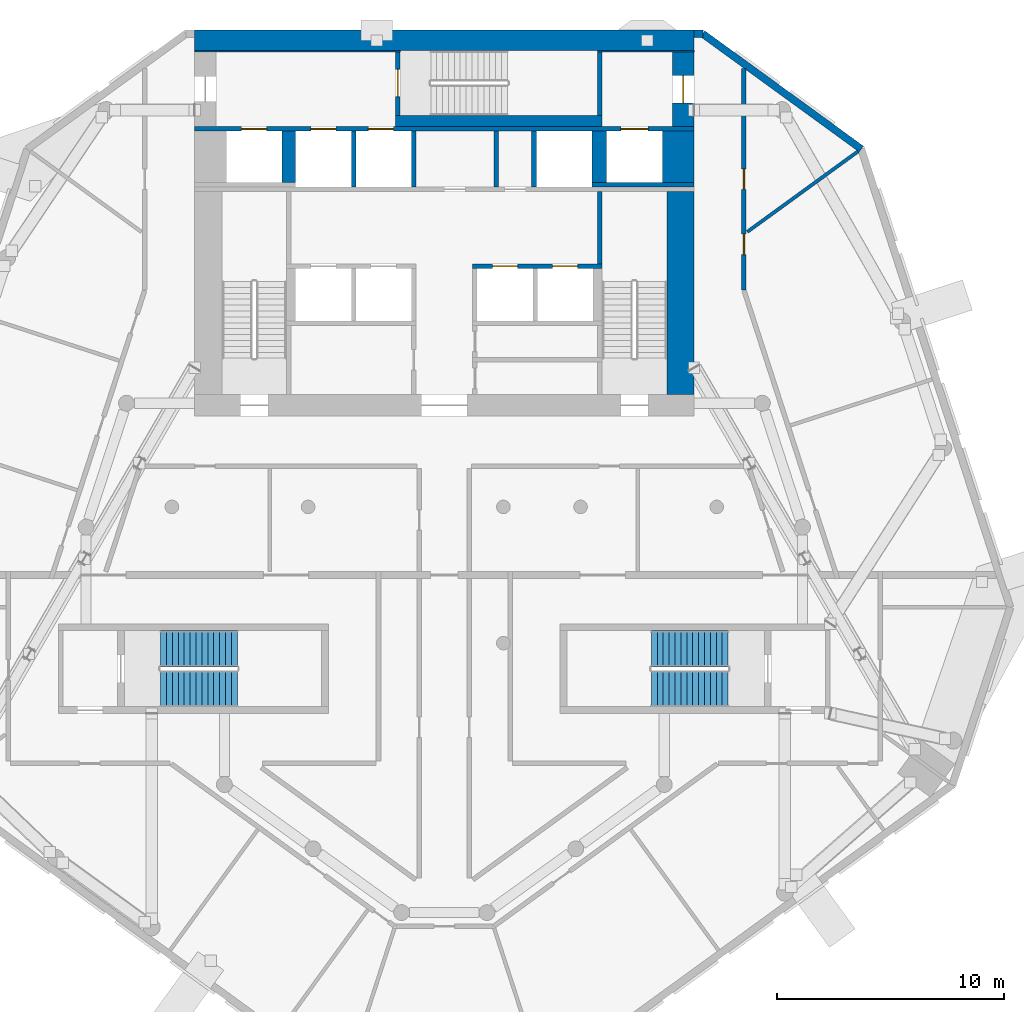
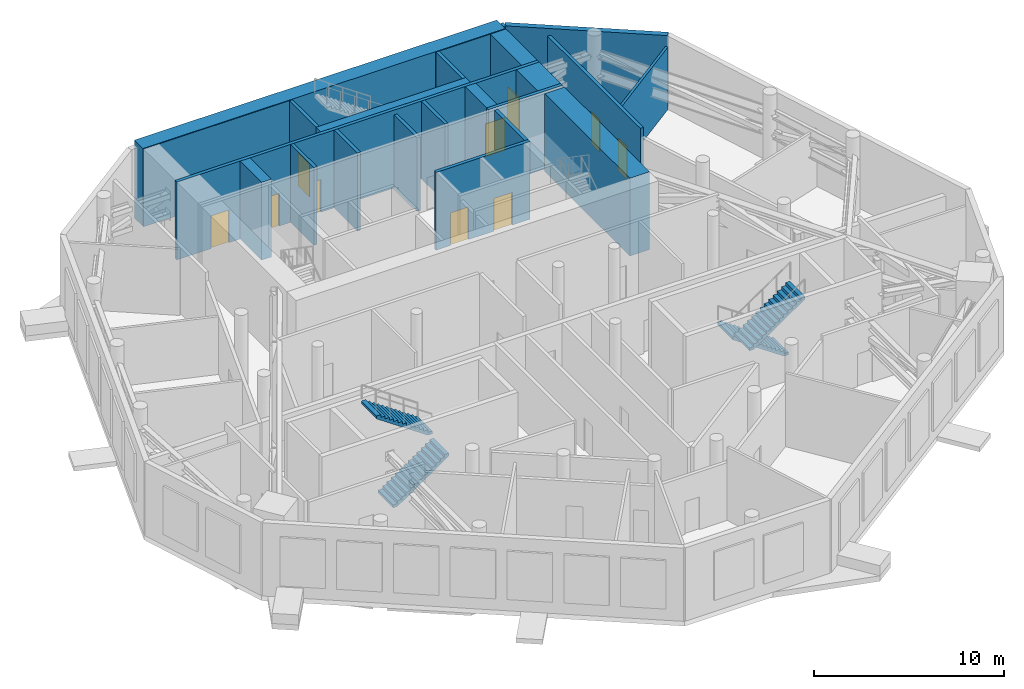
# One storey, part 11 of 17: 23 walls, 10 doors, 4 stair flights, 10 openings, 2 elements without a shape of their own.
"""IFC4 building model written with IfcOpenShell, lengths in metres."""

import ifcopenshell
import ifcopenshell.guid

model = None  # the IFC model being written
_history = None  # IfcOwnerHistory: only IFC2X3 demands one
_inside = {}  # id of a spatial element -> (the spatial element, [elements in it])
_under = {}  # id of a project, library or spatial element -> (it, [spatial elements below it])
_declared = {}  # id of a project -> (the project, [libraries it declares])
_typed = {}  # id of a type object -> (the type object, [elements of that type])
_made_of = {}  # id of a material, layer set ... -> (it, [elements and type objects made of it])


def new_model(schema):
    """Start an empty IFC model of exactly this schema.

    Asked for "IFC4X3", IfcOpenShell would pick the latest addendum, in which some entities
    have other attributes; the version numbers below select the first issue.
    IFC2X3 requires an IfcOwnerHistory on every rooted entity: one is made here for all.
    """
    global model, _history
    if schema == "IFC4X3":
        model = ifcopenshell.file(schema_version=(4, 3, 0, 0))
    else:
        model = ifcopenshell.file(schema=schema)
    _inside.clear()
    _under.clear()
    _declared.clear()
    _typed.clear()
    _made_of.clear()
    _history = None
    if model.schema == "IFC2X3":
        org = make("IfcOrganization", Name="unknown")
        user = make(
            "IfcPersonAndOrganization",
            ThePerson=make("IfcPerson", FamilyName="unknown"),
            TheOrganization=org,
        )
        app = make(
            "IfcApplication",
            ApplicationDeveloper=org,
            Version="unknown",
            ApplicationFullName="unknown",
            ApplicationIdentifier="unknown",
        )
        _history = make(
            "IfcOwnerHistory",
            OwningUser=user,
            OwningApplication=app,
            ChangeAction="ADDED",
            CreationDate=0,
        )
    return model


def make(cls, **values):
    """One entity of the class cls with the attributes given. An attribute that is None is left unset."""
    return model.create_entity(
        cls, **{name: value for name, value in values.items() if value is not None}
    )


def rooted(cls, **values):
    """An entity with a GlobalId (a new one), such as an element, a storey or a relation."""
    return make(cls, GlobalId=ifcopenshell.guid.new(), OwnerHistory=_history, **values)


def si_unit(unit_type, name, prefix=None):
    """IfcSIUnit, for example si_unit("LENGTHUNIT", "METRE", prefix="MILLI")."""
    return make("IfcSIUnit", UnitType=unit_type, Prefix=prefix, Name=name)


def assignment(units):
    """IfcUnitAssignment: the units of a project."""
    return None if units is None else make("IfcUnitAssignment", Units=units)


def point(xyz):
    """IfcCartesianPoint."""
    return None if xyz is None else make("IfcCartesianPoint", Coordinates=xyz)


def direction(xyz):
    """IfcDirection."""
    return None if xyz is None else make("IfcDirection", DirectionRatios=xyz)


def frame(location, z_axis=None, x_axis=None):
    """IfcAxis2Placement3D, a coordinate frame: its origin and axes. An axis left out is left unset."""
    return make(
        "IfcAxis2Placement3D",
        Location=point(location),
        Axis=direction(z_axis),
        RefDirection=direction(x_axis),
    )


def frame_2d(location, x_axis=None):
    """IfcAxis2Placement2D, a coordinate frame in the plane: its origin and x axis."""
    return make(
        "IfcAxis2Placement2D", Location=point(location), RefDirection=direction(x_axis)
    )


def origin():
    """The frame at (0, 0, 0) with its axes left unset."""
    return frame((0.0, 0.0, 0.0))


def place(relative_to, where):
    """IfcLocalPlacement: puts the frame where relative to a parent placement (None: the world)."""
    return make(
        "IfcLocalPlacement", PlacementRelTo=relative_to, RelativePlacement=where
    )


def context(
    kind, dimensions, precision=None, world=None, true_north=None, identifier=None
):
    """IfcGeometricRepresentationContext, for example the 3D "Model" context."""
    return make(
        "IfcGeometricRepresentationContext",
        ContextIdentifier=identifier,
        ContextType=kind,
        CoordinateSpaceDimension=dimensions,
        Precision=precision,
        WorldCoordinateSystem=world,
        TrueNorth=true_north,
    )


def subcontext(parent, identifier, kind, view, scale=None):
    """IfcGeometricRepresentationSubContext, for example "Body" below "Model"."""
    return make(
        "IfcGeometricRepresentationSubContext",
        ContextIdentifier=identifier,
        ContextType=kind,
        ParentContext=parent,
        TargetScale=scale,
        TargetView=view,
    )


def project(units=None, contexts=None):
    """IfcProject with its units and contexts."""
    return rooted(
        "IfcProject",
        Name="project",
        RepresentationContexts=contexts,
        UnitsInContext=assignment(units),
    )


def spatial(cls, under=None, at=None, **own):
    """A site, building, storey or space (cls), placed at a placement, below another one or the project."""
    s = rooted(cls, ObjectPlacement=at, **own)
    if under is not None:
        _under.setdefault(under.id(), (under, []))[1].append(s)
    return s


def polyline(points):
    """IfcPolyline through the points."""
    return make("IfcPolyline", Points=[point(p) for p in points])


def profile(cls, at=None, kind="AREA", **sizes):
    """A parametric profile (cls). Its sizes go by their IFC names, for example OverallWidth=200.0."""
    return make(cls, ProfileType=kind, Position=at, **sizes)


def rectangle(**sizes):
    """IfcRectangleProfileDef."""
    return profile("IfcRectangleProfileDef", **sizes)


def outline(outer, holes=None, kind="AREA"):
    """IfcArbitraryClosedProfileDef: a profile drawn as a closed curve; with holes, ...WithVoids."""
    if holes is None:
        return make("IfcArbitraryClosedProfileDef", ProfileType=kind, OuterCurve=outer)
    return make(
        "IfcArbitraryProfileDefWithVoids",
        ProfileType=kind,
        OuterCurve=outer,
        InnerCurves=holes,
    )


def extrude(swept, where, along, depth):
    """IfcExtrudedAreaSolid: the profile swept, set in the frame where, extruded along a direction by depth."""
    return make(
        "IfcExtrudedAreaSolid",
        SweptArea=swept,
        Position=where,
        ExtrudedDirection=direction(along),
        Depth=depth,
    )


def shape(context_of_items, identifier, shape_type, items):
    """IfcShapeRepresentation: the items that make up one representation, for example the "Body"."""
    return make(
        "IfcShapeRepresentation",
        ContextOfItems=context_of_items,
        RepresentationIdentifier=identifier,
        RepresentationType=shape_type,
        Items=items,
    )


def material(Name=None, Category=None):
    """IfcMaterial."""
    return make("IfcMaterial", Name=Name, Category=Category)


def layer(
    of_material, thickness, ventilated=None, Name=None, Category=None, Priority=None
):
    """IfcMaterialLayer: one layer of a wall or slab, of a material (None: an air gap)."""
    return make(
        "IfcMaterialLayer",
        Material=of_material,
        LayerThickness=thickness,
        IsVentilated=ventilated,
        Name=Name,
        Category=Category,
        Priority=Priority,
    )


def layer_set(layers, Name=None):
    """IfcMaterialLayerSet."""
    return make("IfcMaterialLayerSet", MaterialLayers=layers, LayerSetName=Name)


def made_of(thing, what):
    """Note that an element or type object is made of a material, layer set ...; save() writes the relation."""
    if what is not None:
        _made_of.setdefault(what.id(), (what, []))[1].append(thing)
    return thing


def type_object(cls, material=None, **own):
    """A type object (cls), such as IfcWallType, which elements share."""
    return made_of(rooted(cls, **own), material)


def element(
    cls,
    number,
    at=None,
    inside=None,
    cuts=None,
    type_object=None,
    material=None,
    context=None,
    identifier="Body",
    shape_type=None,
    held_by="IfcProductDefinitionShape",
    body=None,
    shapes=None,
    **own,
):
    """One element of the class cls, such as IfcWall. Its Tag is "e" and its number.

    at: its placement. inside: the storey or other place that contains it. cuts: it is an
    opening in that element (IfcRelVoidsElement). A single representation is given by context,
    identifier, shape_type and body (its items); several are given by shapes. held_by: the class
    of the entity that holds the representations. save() writes the other relations.
    """
    e = rooted(cls, Tag="e%d" % number, ObjectPlacement=at, **own)
    if body is not None:
        shapes = [shape(context, identifier, shape_type, body)]
    if shapes is not None:
        e.Representation = make(held_by, Representations=shapes)
    if inside is not None:
        _inside.setdefault(inside.id(), (inside, []))[1].append(e)
    if cuts is not None:
        rooted(
            "IfcRelVoidsElement", RelatingBuildingElement=cuts, RelatedOpeningElement=e
        )
    if type_object is not None:
        _typed.setdefault(type_object.id(), (type_object, []))[1].append(e)
    return made_of(e, material)


def fill(opening, filler):
    """IfcRelFillsElement: the door or window that sits in an opening."""
    return rooted(
        "IfcRelFillsElement",
        RelatingOpeningElement=opening,
        RelatedBuildingElement=filler,
    )


def aggregate(whole, parts):
    """IfcRelAggregates: a whole, such as a stair, and the parts it consists of."""
    return rooted("IfcRelAggregates", RelatingObject=whole, RelatedObjects=parts)


def save(model, path):
    """Write the relations noted so far, then the file.

    IfcRelAggregates (storeys below a building ...), IfcRelContainedInSpatialStructure (elements
    in a storey), IfcRelDefinesByType, IfcRelAssociatesMaterial and IfcRelDeclares: one each for
    every whole, place, type object, material and project.
    """
    for whole, parts in _under.values():
        aggregate(whole, parts)
    for where, things in _inside.values():
        rooted(
            "IfcRelContainedInSpatialStructure",
            RelatedElements=things,
            RelatingStructure=where,
        )
    for kind, things in _typed.values():
        rooted("IfcRelDefinesByType", RelatedObjects=things, RelatingType=kind)
    for what, things in _made_of.values():
        rooted("IfcRelAssociatesMaterial", RelatedObjects=things, RelatingMaterial=what)
    for by, libraries in _declared.values():
        rooted("IfcRelDeclares", RelatingContext=by, RelatedDefinitions=libraries)
    model.write(path)


model = new_model("IFC4")

# Units and contexts
model_context = context("Model", 3, precision=1e-05, world=origin(), true_north=direction((0.0, 1.0)))
body_context = subcontext(model_context, "Body", "Model", "MODEL_VIEW")
ifc_project = project(units=[si_unit("LENGTHUNIT", "METRE"), si_unit("AREAUNIT", "SQUARE_METRE"), si_unit("VOLUMEUNIT", "CUBIC_METRE"), si_unit("PLANEANGLEUNIT", "RADIAN"), si_unit("MASSUNIT", "GRAM", prefix="KILO")], contexts=[model_context])

# Site, building, storey
site_placement = place(None, origin())
site = spatial("IfcSite", under=ifc_project, at=site_placement, CompositionType="ELEMENT")
building_placement = place(site_placement, origin())
building = spatial("IfcBuilding", under=site, at=building_placement, Name="White Candle Pilgrim Tower", CompositionType="ELEMENT")
storey_placement = place(building_placement, frame((0.0, 0.0, 191.5)))
storey = spatial("IfcBuildingStorey", under=building, at=storey_placement, Name="L44", CompositionType="ELEMENT", Elevation=191.5)

# Walls
ifc_material_1 = material(Name="Concrete C60/75", Category="concrete")
ifc_layer_1 = layer(ifc_material_1, 1.39990234375)
ifc_layer_set_1 = layer_set([ifc_layer_1], Name="Core wall 1400 mm Concrete C60/75")
wall_type_1 = type_object("IfcWallType", Name="Core wall 1400 mm Concrete C60/75", PredefinedType="SHEAR", material=ifc_layer_set_1)
wall_1_placement = place(storey_placement, frame((80.300048828125, 81.300048828125, 0.0), z_axis=(0.0, 0.0, 1.0), x_axis=(0.0, 1.0, 0.0)))
element("IfcWall", 1, at=wall_1_placement, inside=storey, type_object=wall_type_1, Name="WL-L44-C43", PredefinedType="SHEAR", context=body_context, shape_type="SweptSolid", body=[
    extrude(rectangle(XDim=2.25, YDim=1.39990234375, at=frame_2d((1.125, 0.0))), origin(), (0.0, 0.0, 1.0), 5.0),
])
ifc_layer_2 = layer(ifc_material_1, 0.199951171875)
ifc_layer_set_2 = layer_set([ifc_layer_2], Name="Core wall 200 mm Concrete C60/75")
wall_type_2 = type_object("IfcWallType", Name="Core wall 200 mm Concrete C60/75", PredefinedType="SHEAR", material=ifc_layer_set_2)
wall_2_placement = place(storey_placement, frame((76.5, 81.199951171875, 0.0), z_axis=(0.0, 0.0, 1.0), x_axis=(1.0, 0.0, 0.0)))
element("IfcWall", 2, at=wall_2_placement, inside=storey, type_object=wall_type_2, Name="WL-L44-C39", PredefinedType="SHEAR", context=body_context, shape_type="SweptSolid", body=[
    extrude(rectangle(XDim=4.5, YDim=0.199951171875, at=frame_2d((2.25, 0.0))), origin(), (0.0, 0.0, 1.0), 5.0),
])

# Wall, openings, doors
wall_3_placement = place(storey_placement, frame((59.0, 83.64990234375, 0.0), z_axis=(0.0, 0.0, 1.0), x_axis=(1.0, 0.0, 0.0)))
wall_3 = element("IfcWall", 3, at=wall_3_placement, inside=storey, type_object=wall_type_2, Name="WL-L44-C44", PredefinedType="SHEAR", context=body_context, shape_type="SweptSolid", body=[
    extrude(rectangle(XDim=22.0, YDim=0.199951171875, at=frame_2d((11.0, 0.0))), origin(), (0.0, 0.0, 1.0), 5.0),
])
opening_1_placement = place(wall_3_placement, frame((5.125, 0.0, 0.0)))
opening_1 = element("IfcOpeningElement", 4, at=opening_1_placement, cuts=wall_3, Name="Opening L44-018", PredefinedType="OPENING", context=body_context, shape_type="SweptSolid", body=[
    extrude(rectangle(XDim=1.10009765625, YDim=2.10009765625, at=frame_2d((0.550048828125, 1.050048828125))), frame((0.0, 0.10986328125, 0.0), z_axis=(0.0, -1.0, 0.0), x_axis=(1.0, 0.0, 0.0)), (0.0, 0.0, 1.0), 0.219970703125),
])
opening_2_placement = place(wall_3_placement, frame((7.64990234375, 0.0, 0.0)))
opening_2 = element("IfcOpeningElement", 5, at=opening_2_placement, cuts=wall_3, Name="Opening L44-019", PredefinedType="OPENING", context=body_context, shape_type="SweptSolid", body=[
    extrude(rectangle(XDim=1.10009765625, YDim=2.10009765625, at=frame_2d((0.550048828125, 1.050048828125))), frame((0.0, 0.10986328125, 0.0), z_axis=(0.0, -1.0, 0.0), x_axis=(1.0, 0.0, 0.0)), (0.0, 0.0, 1.0), 0.219970703125),
])
opening_3_placement = place(wall_3_placement, frame((18.77490234375, 0.0, 0.0)))
opening_3 = element("IfcOpeningElement", 6, at=opening_3_placement, cuts=wall_3, Name="Opening L44-020", PredefinedType="OPENING", context=body_context, shape_type="SweptSolid", body=[
    extrude(rectangle(XDim=1.199951171875, YDim=2.10009765625, at=frame_2d((0.60009765625, 1.050048828125))), frame((0.0, 0.10986328125, 0.0), z_axis=(0.0, -1.0, 0.0), x_axis=(1.0, 0.0, 0.0)), (0.0, 0.0, 1.0), 0.219970703125),
])
opening_4_placement = place(wall_3_placement, frame((2.074951171875, 0.0, 0.0)))
opening_4 = element("IfcOpeningElement", 7, at=opening_4_placement, cuts=wall_3, Name="Opening L44-021", PredefinedType="OPENING", context=body_context, shape_type="SweptSolid", body=[
    extrude(rectangle(XDim=1.10009765625, YDim=2.10009765625, at=frame_2d((0.550048828125, 1.050048828125))), frame((0.0, 0.10986328125, 0.0), z_axis=(0.0, -1.0, 0.0), x_axis=(1.0, 0.0, 0.0)), (0.0, 0.0, 1.0), 0.219970703125),
])
ifc_material_2 = material(Name="Stainless steel", Category="steel")
door_type_1 = type_object("IfcDoorType", Name="Lift landing door 1100 x 2100 EI 60", OperationType="DOUBLE_DOOR_SLIDING", PredefinedType="DOOR", material=ifc_material_2)
door_1_placement = place(opening_1_placement, origin())
door_1 = element("IfcDoor", 8, at=door_1_placement, inside=storey, type_object=door_type_1, Name="Door L44-018", OperationType="DOUBLE_DOOR_SLIDING", OverallHeight=2.10009765625, OverallWidth=1.10009765625, PredefinedType="DOOR", context=body_context, shape_type="SweptSolid", body=[
    extrude(rectangle(XDim=1.10009765625, YDim=2.10009765625, at=frame_2d((0.550048828125, 1.050048828125))), frame((0.0, 0.02490234375, 0.0), z_axis=(0.0, -1.0, 0.0), x_axis=(1.0, 0.0, 0.0)), (0.0, 0.0, 1.0), 0.050048828125),
])
fill(opening_1, door_1)
door_2_placement = place(opening_2_placement, origin())
door_2 = element("IfcDoor", 9, at=door_2_placement, inside=storey, type_object=door_type_1, Name="Door L44-019", OperationType="DOUBLE_DOOR_SLIDING", OverallHeight=2.10009765625, OverallWidth=1.10009765625, PredefinedType="DOOR", context=body_context, shape_type="SweptSolid", body=[
    extrude(rectangle(XDim=1.10009765625, YDim=2.10009765625, at=frame_2d((0.550048828125, 1.050048828125))), frame((0.0, 0.02490234375, 0.0), z_axis=(0.0, -1.0, 0.0), x_axis=(1.0, 0.0, 0.0)), (0.0, 0.0, 1.0), 0.050048828125),
])
fill(opening_2, door_2)
door_3_placement = place(opening_4_placement, origin())
door_3 = element("IfcDoor", 10, at=door_3_placement, inside=storey, type_object=door_type_1, Name="Door L44-021", OperationType="DOUBLE_DOOR_SLIDING", OverallHeight=2.10009765625, OverallWidth=1.10009765625, PredefinedType="DOOR", context=body_context, shape_type="SweptSolid", body=[
    extrude(rectangle(XDim=1.10009765625, YDim=2.10009765625, at=frame_2d((0.550048828125, 1.050048828125))), frame((0.0, 0.02490234375, 0.0), z_axis=(0.0, -1.0, 0.0), x_axis=(1.0, 0.0, 0.0)), (0.0, 0.0, 1.0), 0.050048828125),
])
fill(opening_4, door_3)
door_type_2 = type_object("IfcDoorType", Name="Lift landing door 1200 x 2100 E 60", OperationType="DOUBLE_DOOR_SLIDING", PredefinedType="DOOR", material=ifc_material_2)
door_4_placement = place(opening_3_placement, origin())
door_4 = element("IfcDoor", 11, at=door_4_placement, inside=storey, type_object=door_type_2, Name="Door L44-020", OperationType="DOUBLE_DOOR_SLIDING", OverallHeight=2.10009765625, OverallWidth=1.199951171875, PredefinedType="DOOR", context=body_context, shape_type="SweptSolid", body=[
    extrude(rectangle(XDim=1.199951171875, YDim=2.10009765625, at=frame_2d((0.60009765625, 1.050048828125))), frame((0.0, 0.02490234375, 0.0), z_axis=(0.0, -1.0, 0.0), x_axis=(1.0, 0.0, 0.0)), (0.0, 0.0, 1.0), 0.050048828125),
])
fill(opening_3, door_4)

# Wall, opening, door
ifc_layer_3 = layer(ifc_material_1, 0.949951171875)
ifc_layer_set_3 = layer_set([ifc_layer_3], Name="Core wall 950 mm Concrete C60/75")
wall_type_3 = type_object("IfcWallType", Name="Core wall 950 mm Concrete C60/75", PredefinedType="SHEAR", material=ifc_layer_set_3)
wall_4_placement = place(storey_placement, frame((80.52490234375, 83.75, 0.0), z_axis=(0.0, 0.0, 1.0), x_axis=(0.0, 1.0, 0.0)))
wall_4 = element("IfcWall", 12, at=wall_4_placement, inside=storey, type_object=wall_type_3, Name="WL-L44-C47", PredefinedType="SHEAR", context=body_context, shape_type="SweptSolid", body=[
    extrude(rectangle(XDim=3.300048828125, YDim=0.949951171875, at=frame_2d((1.64990234375, 0.0))), origin(), (0.0, 0.0, 1.0), 5.0),
])
opening_5_placement = place(wall_4_placement, frame((1.050048828125, 0.0, 0.0)))
opening_5 = element("IfcOpeningElement", 13, at=opening_5_placement, cuts=wall_4, Name="Opening L44-009", PredefinedType="OPENING", context=body_context, shape_type="SweptSolid", body=[
    extrude(rectangle(XDim=1.199951171875, YDim=2.10009765625, at=frame_2d((0.60009765625, 1.050048828125))), frame((0.0, 0.48486328125, 0.0), z_axis=(0.0, -1.0, 0.0), x_axis=(1.0, 0.0, 0.0)), (0.0, 0.0, 1.0), 0.969970703125),
])
ifc_material_3 = material(Name="Steel door leaf", Category="steel")
door_type_3 = type_object("IfcDoorType", Name="Fire door 1200 x 2100 EI 30", OperationType="NOTDEFINED", PredefinedType="DOOR", material=ifc_material_3)
door_5_placement = place(opening_5_placement, origin())
door_5 = element("IfcDoor", 14, at=door_5_placement, inside=storey, type_object=door_type_3, Name="Door L44-009", OperationType="SINGLE_SWING_LEFT", OverallHeight=2.10009765625, OverallWidth=1.199951171875, PredefinedType="DOOR", context=body_context, shape_type="SweptSolid", body=[
    extrude(rectangle(XDim=1.199951171875, YDim=2.10009765625, at=frame_2d((0.60009765625, 1.050048828125))), frame((0.0, 0.02490234375, 0.0), z_axis=(0.0, -1.0, 0.0), x_axis=(1.0, 0.0, 0.0)), (0.0, 0.0, 1.0), 0.050048828125),
])
fill(opening_5, door_5)

# Wall, openings, doors
ifc_material_4 = material(Name="Gypsum board on steel studs", Category="steel")
ifc_layer_4 = layer(ifc_material_4, 0.199951171875)
ifc_layer_set_4 = layer_set([ifc_layer_4], Name="Corridor wall 200 mm EI 45")
wall_type_4 = type_object("IfcWallType", Name="Corridor wall 200 mm EI 45", PredefinedType="PARTITIONING", material=ifc_layer_set_4)
wall_5_placement = place(storey_placement, frame((83.199951171875, 86.323486328125, 0.0), z_axis=(0.0, 0.0, 1.0), x_axis=(0.0, -1.0, 0.0)))
wall_5 = element("IfcWall", 15, at=wall_5_placement, inside=storey, type_object=wall_type_4, Name="WL-L44-P004", PredefinedType="PARTITIONING", context=body_context, shape_type="SweptSolid", body=[
    extrude(rectangle(XDim=9.7705078125, YDim=0.199951171875, at=frame_2d((4.88525390625, 0.0))), origin(), (0.0, 0.0, 1.0), 4.25),
])
opening_6_placement = place(wall_5_placement, frame((4.435302734375, 0.0, 0.0)))
opening_6 = element("IfcOpeningElement", 16, at=opening_6_placement, cuts=wall_5, Name="Opening L44-121", PredefinedType="OPENING", context=body_context, shape_type="SweptSolid", body=[
    extrude(rectangle(XDim=0.89990234375, YDim=2.10009765625, at=frame_2d((0.449951171875, 1.050048828125))), frame((0.0, 0.10986328125, 0.0), z_axis=(0.0, -1.0, 0.0), x_axis=(1.0, 0.0, 0.0)), (0.0, 0.0, 1.0), 0.219970703125),
])
opening_7_placement = place(wall_5_placement, frame((7.30419921875, 0.0, 0.0)))
opening_7 = element("IfcOpeningElement", 17, at=opening_7_placement, cuts=wall_5, Name="Opening L44-122", PredefinedType="OPENING", context=body_context, shape_type="SweptSolid", body=[
    extrude(rectangle(XDim=0.89990234375, YDim=2.10009765625, at=frame_2d((0.449951171875, 1.050048828125))), frame((0.0, 0.10986328125, 0.0), z_axis=(0.0, -1.0, 0.0), x_axis=(1.0, 0.0, 0.0)), (0.0, 0.0, 1.0), 0.219970703125),
])
door_type_4 = type_object("IfcDoorType", Name="Fire door 900 x 2100 EI 30", OperationType="NOTDEFINED", PredefinedType="DOOR", material=ifc_material_3)
door_6_placement = place(opening_6_placement, origin())
door_6 = element("IfcDoor", 18, at=door_6_placement, inside=storey, type_object=door_type_4, Name="Door L44-121", OperationType="SINGLE_SWING_LEFT", OverallHeight=2.10009765625, OverallWidth=0.89990234375, PredefinedType="DOOR", context=body_context, shape_type="SweptSolid", body=[
    extrude(rectangle(XDim=0.89990234375, YDim=2.10009765625, at=frame_2d((0.449951171875, 1.050048828125))), frame((0.0, 0.02490234375, 0.0), z_axis=(0.0, -1.0, 0.0), x_axis=(1.0, 0.0, 0.0)), (0.0, 0.0, 1.0), 0.050048828125),
])
fill(opening_6, door_6)
door_7_placement = place(opening_7_placement, origin())
door_7 = element("IfcDoor", 19, at=door_7_placement, inside=storey, type_object=door_type_4, Name="Door L44-122", OperationType="SINGLE_SWING_RIGHT", OverallHeight=2.10009765625, OverallWidth=0.89990234375, PredefinedType="DOOR", context=body_context, shape_type="SweptSolid", body=[
    extrude(rectangle(XDim=0.89990234375, YDim=2.10009765625, at=frame_2d((0.449951171875, 1.050048828125))), frame((0.0, 0.02490234375, 0.0), z_axis=(0.0, -1.0, 0.0), x_axis=(1.0, 0.0, 0.0)), (0.0, 0.0, 1.0), 0.050048828125),
])
fill(opening_7, door_7)

# Walls
ifc_material_5 = material(Name="Precast concrete C40/50", Category="concrete")
ifc_layer_5 = layer(ifc_material_5, 0.320068359375)
ifc_layer_set_5 = layer_set([ifc_layer_5], Name="Facade wall EW2 precast concrete C40/50 plant wall behind louvres")
wall_type_5 = type_object("IfcWallType", Name="Facade wall EW2 precast concrete C40/50 plant wall behind louvres", PredefinedType="SOLIDWALL", material=ifc_layer_set_5)
wall_6_placement = place(storey_placement, frame((88.367919921875, 82.7666015625, 0.0), z_axis=(0.0, 0.0, 1.0), x_axis=(-0.809011202415, 0.587793224159, 0.0)))
element("IfcWall", 20, at=wall_6_placement, inside=storey, type_object=wall_type_5, Name="Facade wall L44 NE chamfer", PredefinedType="SOLIDWALL", context=body_context, shape_type="SweptSolid", body=[
    extrude(rectangle(XDim=8.63134765625, YDim=0.320068359375, at=frame_2d((4.315673828125, 0.0))), origin(), (0.0, 0.0, 1.0), 4.699951171875),
])
wall_7_placement = place(storey_placement, frame((81.385009765625, 87.840087890625, 0.0), z_axis=(0.0, 0.0, 1.0), x_axis=(-1.0, 0.0, 0.0)))
element("IfcWall", 21, at=wall_7_placement, inside=storey, type_object=wall_type_5, Name="Facade wall L44 N", PredefinedType="SOLIDWALL", context=body_context, shape_type="SweptSolid", body=[
    extrude(rectangle(XDim=0.385009765625, YDim=0.320068359375, at=frame_2d((0.1923828125, 0.0))), origin(), (0.0, 0.0, 1.0), 4.699951171875),
])
ifc_layer_6 = layer(ifc_material_4, 0.199951171875)
ifc_layer_set_6 = layer_set([ifc_layer_6], Name="Lobby wall 200 mm EI 60")
wall_type_6 = type_object("IfcWallType", Name="Lobby wall 200 mm EI 60", PredefinedType="PARTITIONING", material=ifc_layer_set_6)
wall_8_placement = place(storey_placement, frame((72.280029296875, 81.10009765625, 0.0), z_axis=(0.0, 0.0, 1.0), x_axis=(0.0, 1.0, 0.0)))
element("IfcWall", 22, at=wall_8_placement, inside=storey, type_object=wall_type_6, Name="WL-L44-C37", PredefinedType="PARTITIONING", context=body_context, shape_type="SweptSolid", body=[
    extrude(rectangle(XDim=2.449951171875, YDim=0.199951171875, at=frame_2d((1.22509765625, 0.0))), origin(), (0.0, 0.0, 1.0), 4.699951171875),
])
ifc_layer_7 = layer(ifc_material_4, 0.14990234375)
ifc_layer_set_7 = layer_set([ifc_layer_7], Name="Partition 150 mm EI 60")
wall_type_7 = type_object("IfcWallType", Name="Partition 150 mm EI 60", PredefinedType="PARTITIONING", material=ifc_layer_set_7)
wall_9_placement = place(storey_placement, frame((88.231689453125, 82.667724609375, 0.0), z_axis=(0.0, 0.0, 1.0), x_axis=(-0.809024323682, -0.587775164234, 0.0)))
element("IfcWall", 23, at=wall_9_placement, inside=storey, type_object=wall_type_7, Name="WL-L44-P034", PredefinedType="PARTITIONING", context=body_context, shape_type="SweptSolid", body=[
    extrude(rectangle(XDim=6.04150390625, YDim=0.14990234375, at=frame_2d((3.020751953125, 0.0))), origin(), (0.0, 0.0, 1.0), 4.0),
])
ifc_layer_8 = layer(ifc_material_1, 0.199951171875)
ifc_layer_set_8 = layer_set([ifc_layer_8], Name="Shaft wall 200 mm Concrete C60/75")
wall_type_8 = type_object("IfcWallType", Name="Shaft wall 200 mm Concrete C60/75", PredefinedType="SHEAR", material=ifc_layer_set_8)
for number, where, z_axis, x_axis, name in (
    (24, (66.0, 81.10009765625, 0.0), (0.0, 0.0, 1.0), (0.0, 1.0, 0.0), "WL-L44-C35"),
    (25, (68.64990234375, 81.10009765625, 0.0), (0.0, 0.0, 1.0), (0.0, 1.0, 0.0), "WL-L44-C36"),
    (26, (73.949951171875, 81.10009765625, 0.0), (0.0, 0.0, 1.0), (0.0, 1.0, 0.0), "WL-L44-C38"),
):
    element("IfcWall", number, at=place(storey_placement, frame(where, z_axis=z_axis, x_axis=x_axis)), inside=storey, type_object=wall_type_8, Name=name, PredefinedType="SHEAR", context=body_context, shape_type="SweptSolid", body=[
        extrude(rectangle(XDim=2.449951171875, YDim=0.199951171875, at=frame_2d((1.22509765625, 0.0))), origin(), (0.0, 0.0, 1.0), 5.0),
    ])
ifc_layer_9 = layer(ifc_material_1, 0.60009765625)
ifc_layer_set_9 = layer_set([ifc_layer_9], Name="Shaft wall 600 mm Concrete C60/75")
wall_type_9 = type_object("IfcWallType", Name="Shaft wall 600 mm Concrete C60/75", PredefinedType="SHEAR", material=ifc_layer_set_9)
wall_10_placement = place(storey_placement, frame((63.14990234375, 81.300048828125, 0.0), z_axis=(0.0, 0.0, 1.0), x_axis=(0.0, 1.0, 0.0)))
element("IfcWall", 27, at=wall_10_placement, inside=storey, type_object=wall_type_9, Name="WL-L44-C41", PredefinedType="SHEAR", context=body_context, shape_type="SweptSolid", body=[
    extrude(rectangle(XDim=2.25, YDim=0.60009765625, at=frame_2d((1.125, 0.0))), origin(), (0.0, 0.0, 1.0), 5.0),
])
ifc_layer_10 = layer(ifc_material_1, 0.64990234375)
ifc_layer_set_10 = layer_set([ifc_layer_10], Name="Shaft wall 650 mm Concrete C60/75")
wall_type_10 = type_object("IfcWallType", Name="Shaft wall 650 mm Concrete C60/75", PredefinedType="SHEAR", material=ifc_layer_set_10)
wall_11_placement = place(storey_placement, frame((76.824951171875, 81.300048828125, 0.0), z_axis=(0.0, 0.0, 1.0), x_axis=(0.0, 1.0, 0.0)))
element("IfcWall", 28, at=wall_11_placement, inside=storey, type_object=wall_type_10, Name="WL-L44-C42", PredefinedType="SHEAR", context=body_context, shape_type="SweptSolid", body=[
    extrude(rectangle(XDim=2.25, YDim=0.64990234375, at=frame_2d((1.125, 0.0))), origin(), (0.0, 0.0, 1.0), 5.0),
])
ifc_layer_11 = layer(ifc_material_1, 1.199951171875)
ifc_layer_set_11 = layer_set([ifc_layer_11], Name="Stair shaft wall 1200 mm Concrete C60/75")
wall_type_11 = type_object("IfcWallType", Name="Stair shaft wall 1200 mm Concrete C60/75", PredefinedType="SHEAR", material=ifc_layer_set_11)
wall_12_placement = place(storey_placement, frame((80.39990234375, 71.949951171875, 0.0), z_axis=(0.0, 0.0, 1.0), x_axis=(0.0, 1.0, 0.0)))
element("IfcWall", 29, at=wall_12_placement, inside=storey, type_object=wall_type_11, Name="WL-L44-C17", PredefinedType="SHEAR", context=body_context, shape_type="SweptSolid", body=[
    extrude(rectangle(XDim=8.949951171875, YDim=1.199951171875, at=frame_2d((4.47509765625, 0.0))), origin(), (0.0, 0.0, 1.0), 5.0),
])

# Wall, openings, doors
ifc_layer_12 = layer(ifc_material_1, 0.199951171875)
ifc_layer_set_12 = layer_set([ifc_layer_12], Name="Stair shaft wall 200 mm Concrete C60/75")
wall_type_12 = type_object("IfcWallType", Name="Stair shaft wall 200 mm Concrete C60/75", PredefinedType="SHEAR", material=ifc_layer_set_12)
wall_13_placement = place(storey_placement, frame((71.25, 77.60009765625, 0.0), z_axis=(0.0, 0.0, 1.0), x_axis=(1.0, 0.0, 0.0)))
wall_13 = element("IfcWall", 30, at=wall_13_placement, inside=storey, type_object=wall_type_12, Name="WL-L44-C30", PredefinedType="SHEAR", context=body_context, shape_type="SweptSolid", body=[
    extrude(rectangle(XDim=5.699951171875, YDim=0.199951171875, at=frame_2d((2.85009765625, 0.0))), origin(), (0.0, 0.0, 1.0), 5.0),
])
opening_8_placement = place(wall_13_placement, frame((0.875, 0.0, 0.0)))
opening_8 = element("IfcOpeningElement", 31, at=opening_8_placement, cuts=wall_13, Name="Opening L44-016", PredefinedType="OPENING", context=body_context, shape_type="SweptSolid", body=[
    extrude(rectangle(XDim=1.10009765625, YDim=2.10009765625, at=frame_2d((0.550048828125, 1.050048828125))), frame((0.0, 0.10986328125, 0.0), z_axis=(0.0, -1.0, 0.0), x_axis=(1.0, 0.0, 0.0)), (0.0, 0.0, 1.0), 0.219970703125),
])
opening_9_placement = place(wall_13_placement, frame((3.52490234375, 0.0, 0.0)))
opening_9 = element("IfcOpeningElement", 32, at=opening_9_placement, cuts=wall_13, Name="Opening L44-017", PredefinedType="OPENING", context=body_context, shape_type="SweptSolid", body=[
    extrude(rectangle(XDim=1.10009765625, YDim=2.10009765625, at=frame_2d((0.550048828125, 1.050048828125))), frame((0.0, 0.10986328125, 0.0), z_axis=(0.0, -1.0, 0.0), x_axis=(1.0, 0.0, 0.0)), (0.0, 0.0, 1.0), 0.219970703125),
])
door_type_5 = type_object("IfcDoorType", Name="Lift landing door 1100 x 2100 E 60", OperationType="DOUBLE_DOOR_SLIDING", PredefinedType="DOOR", material=ifc_material_2)
door_8_placement = place(opening_8_placement, origin())
door_8 = element("IfcDoor", 33, at=door_8_placement, inside=storey, type_object=door_type_5, Name="Door L44-016", OperationType="DOUBLE_DOOR_SLIDING", OverallHeight=2.10009765625, OverallWidth=1.10009765625, PredefinedType="DOOR", context=body_context, shape_type="SweptSolid", body=[
    extrude(rectangle(XDim=1.10009765625, YDim=2.10009765625, at=frame_2d((0.550048828125, 1.050048828125))), frame((0.0, 0.02490234375, 0.0), z_axis=(0.0, -1.0, 0.0), x_axis=(1.0, 0.0, 0.0)), (0.0, 0.0, 1.0), 0.050048828125),
])
fill(opening_8, door_8)
door_9_placement = place(opening_9_placement, origin())
door_9 = element("IfcDoor", 34, at=door_9_placement, inside=storey, type_object=door_type_5, Name="Door L44-017", OperationType="DOUBLE_DOOR_SLIDING", OverallHeight=2.10009765625, OverallWidth=1.10009765625, PredefinedType="DOOR", context=body_context, shape_type="SweptSolid", body=[
    extrude(rectangle(XDim=1.10009765625, YDim=2.10009765625, at=frame_2d((0.550048828125, 1.050048828125))), frame((0.0, 0.02490234375, 0.0), z_axis=(0.0, -1.0, 0.0), x_axis=(1.0, 0.0, 0.0)), (0.0, 0.0, 1.0), 0.050048828125),
])
fill(opening_9, door_9)

# Wall
wall_14_placement = place(storey_placement, frame((76.85009765625, 77.699951171875, 0.0), z_axis=(0.0, 0.0, 1.0), x_axis=(0.0, 1.0, 0.0)))
element("IfcWall", 35, at=wall_14_placement, inside=storey, type_object=wall_type_12, Name="WL-L44-C32", PredefinedType="SHEAR", context=body_context, shape_type="SweptSolid", body=[
    extrude(rectangle(XDim=3.199951171875, YDim=0.199951171875, at=frame_2d((1.60009765625, 0.0))), origin(), (0.0, 0.0, 1.0), 5.0),
])

# Wall, opening, door
wall_15_placement = place(storey_placement, frame((67.949951171875, 84.25, 0.0), z_axis=(0.0, 0.0, 1.0), x_axis=(0.0, 1.0, 0.0)))
wall_15 = element("IfcWall", 36, at=wall_15_placement, inside=storey, type_object=wall_type_12, Name="WL-L44-C48", PredefinedType="SHEAR", context=body_context, shape_type="SweptSolid", body=[
    extrude(rectangle(XDim=2.800048828125, YDim=0.199951171875, at=frame_2d((1.39990234375, 0.0))), origin(), (0.0, 0.0, 1.0), 5.0),
])
opening_10_placement = place(wall_15_placement, frame((0.824951171875, 0.0, 0.0)))
opening_10 = element("IfcOpeningElement", 37, at=opening_10_placement, cuts=wall_15, Name="Opening L44-003", PredefinedType="OPENING", context=body_context, shape_type="SweptSolid", body=[
    extrude(rectangle(XDim=1.199951171875, YDim=2.10009765625, at=frame_2d((0.60009765625, 1.050048828125))), frame((0.0, 0.10986328125, 0.0), z_axis=(0.0, -1.0, 0.0), x_axis=(1.0, 0.0, 0.0)), (0.0, 0.0, 1.0), 0.219970703125),
])
door_type_6 = type_object("IfcDoorType", Name="Fire door 1200 x 2100 EI 60", OperationType="NOTDEFINED", PredefinedType="DOOR", material=ifc_material_3)
door_10_placement = place(opening_10_placement, frame((1.199951171875, 0.0, 0.0), z_axis=(0.0, 0.0, 1.0), x_axis=(-1.0, 0.0, 0.0)))
door_10 = element("IfcDoor", 38, at=door_10_placement, inside=storey, type_object=door_type_6, Name="Door L44-003", OperationType="SINGLE_SWING_RIGHT", OverallHeight=2.10009765625, OverallWidth=1.199951171875, PredefinedType="DOOR", context=body_context, shape_type="SweptSolid", body=[
    extrude(rectangle(XDim=1.199951171875, YDim=2.10009765625, at=frame_2d((0.60009765625, 1.050048828125))), frame((0.0, 0.02490234375, 0.0), z_axis=(0.0, -1.0, 0.0), x_axis=(1.0, 0.0, 0.0)), (0.0, 0.0, 1.0), 0.050048828125),
])
fill(opening_10, door_10)

# Walls
wall_16_placement = place(storey_placement, frame((76.85009765625, 84.25, 0.0), z_axis=(0.0, 0.0, 1.0), x_axis=(0.0, 1.0, 0.0)))
element("IfcWall", 39, at=wall_16_placement, inside=storey, type_object=wall_type_12, Name="WL-L44-C49", PredefinedType="SHEAR", context=body_context, shape_type="SweptSolid", body=[
    extrude(rectangle(XDim=2.800048828125, YDim=0.199951171875, at=frame_2d((1.39990234375, 0.0))), origin(), (0.0, 0.0, 1.0), 5.0),
])
ifc_layer_13 = layer(ifc_material_1, 0.050048828125)
ifc_layer_set_13 = layer_set([ifc_layer_13], Name="Stair shaft wall 50 mm Concrete C60/75")
wall_type_13 = type_object("IfcWallType", Name="Stair shaft wall 50 mm Concrete C60/75", PredefinedType="SHEAR", material=ifc_layer_set_13)
wall_17_placement = place(storey_placement, frame((59.0, 87.074951171875, 0.0), z_axis=(0.0, 0.0, 1.0), x_axis=(1.0, 0.0, 0.0)))
element("IfcWall", 40, at=wall_17_placement, inside=storey, type_object=wall_type_13, Name="WL-L44-C50", PredefinedType="SHEAR", context=body_context, shape_type="SweptSolid", body=[
    extrude(rectangle(XDim=9.050048828125, YDim=0.050048828125, at=frame_2d((4.52490234375, 0.0))), origin(), (0.0, 0.0, 1.0), 5.0),
])
wall_18_placement = place(storey_placement, frame((76.75, 87.074951171875, 0.0), z_axis=(0.0, 0.0, 1.0), x_axis=(1.0, 0.0, 0.0)))
element("IfcWall", 41, at=wall_18_placement, inside=storey, type_object=wall_type_13, Name="WL-L44-C51", PredefinedType="SHEAR", context=body_context, shape_type="SweptSolid", body=[
    extrude(rectangle(XDim=4.25, YDim=0.050048828125, at=frame_2d((2.125, 0.0))), origin(), (0.0, 0.0, 1.0), 5.0),
])
ifc_layer_14 = layer(ifc_material_1, 0.5)
ifc_layer_set_14 = layer_set([ifc_layer_14], Name="Stair shaft wall 500 mm Concrete C60/75")
wall_type_14 = type_object("IfcWallType", Name="Stair shaft wall 500 mm Concrete C60/75", PredefinedType="SHEAR", material=ifc_layer_set_14)
wall_19_placement = place(storey_placement, frame((67.85009765625, 84.0, 0.0), z_axis=(0.0, 0.0, 1.0), x_axis=(1.0, 0.0, 0.0)))
element("IfcWall", 42, at=wall_19_placement, inside=storey, type_object=wall_type_14, Name="WL-L44-C46", PredefinedType="SHEAR", context=body_context, shape_type="SweptSolid", body=[
    extrude(rectangle(XDim=9.099853515625, YDim=0.5, at=frame_2d((4.5498046875, 0.0))), origin(), (0.0, 0.0, 1.0), 5.0),
])
ifc_layer_15 = layer(ifc_material_1, 0.89990234375)
ifc_layer_set_15 = layer_set([ifc_layer_15], Name="Stair shaft wall 900 mm Concrete C60/75")
wall_type_15 = type_object("IfcWallType", Name="Stair shaft wall 900 mm Concrete C60/75", PredefinedType="SHEAR", material=ifc_layer_set_15)
wall_20_placement = place(storey_placement, frame((59.0, 87.550048828125, 0.0), z_axis=(0.0, 0.0, 1.0), x_axis=(1.0, 0.0, 0.0)))
element("IfcWall", 43, at=wall_20_placement, inside=storey, type_object=wall_type_15, Name="WL-L44-C52", PredefinedType="SHEAR", context=body_context, shape_type="SweptSolid", body=[
    extrude(rectangle(XDim=22.0, YDim=0.89990234375, at=frame_2d((11.0, 0.0))), origin(), (0.0, 0.0, 1.0), 5.0),
])

# Stair, stair flights
ifc_material_6 = material(Name="Concrete C40/50", Category="concrete")
stair_type_1 = type_object("IfcStairType", Name="Exit stair 4 flight width 1600 mm", PredefinedType="HALF_TURN_STAIR", material=ifc_material_6)
stair_1_placement = place(storey_placement, origin())
stair_1 = element("IfcStair", 44, at=stair_1_placement, inside=storey, type_object=stair_type_1, Name="L44 stair 4", PredefinedType="NOTDEFINED")
ifc_layer_16 = layer(ifc_material_6, 0.14990234375)
ifc_layer_set_16 = layer_set([ifc_layer_16], Name="Stair flight Concrete C40/50")
stair_flight_type = type_object("IfcStairFlightType", Name="Stair flight Concrete C40/50", PredefinedType="STRAIGHT", material=ifc_layer_set_16)
stair_flight_1_placement = place(storey_placement, frame((82.5, 60.75, 0.0), z_axis=(0.0, 0.0, 1.0), x_axis=(-1.0, 0.0, 0.0)))
stair_flight_1 = element("IfcStairFlight", 45, at=stair_flight_1_placement, type_object=stair_flight_type, Name="ST4 flight 1", NumberOfRisers=14, NumberOfTreads=13, PredefinedType="NOTDEFINED", RiserHeight=0.178571429, TreadLength=0.26, context=body_context, shape_type="SweptSolid", body=[
    extrude(outline(polyline([(0.0, 0.0), (0.0, 0.178466796875), (0.260009765625, 0.178466796875), (0.260009765625, 0.357177734375), (0.52001953125, 0.357177734375), (0.52001953125, 0.53564453125), (0.780029296875, 0.53564453125), (0.780029296875, 0.71435546875), (1.0400390625, 0.71435546875), (1.0400390625, 0.892822265625), (1.300048828125, 0.892822265625), (1.300048828125, 1.071533203125), (1.56005859375, 1.071533203125), (1.56005859375, 1.25), (1.820068359375, 1.25), (1.820068359375, 1.428466796875), (2.080078125, 1.428466796875), (2.080078125, 1.607177734375), (2.340087890625, 1.607177734375), (2.340087890625, 1.78564453125), (2.60009765625, 1.78564453125), (2.60009765625, 1.96435546875), (2.860107421875, 1.96435546875), (2.860107421875, 2.142822265625), (3.1201171875, 2.142822265625), (3.1201171875, 2.321533203125), (3.3798828125, 2.321533203125), (3.3798828125, 2.5), (3.3798828125, 2.1396484375), (0.264892578125, 0.0), (0.0, 0.0)])), frame((0.0, 0.800048828125, 0.0), z_axis=(0.0, -1.0, 0.0), x_axis=(1.0, 0.0, 0.0)), (0.0, 0.0, 1.0), 1.60009765625),
])
stair_flight_2_placement = place(storey_placement, frame((79.1201171875, 59.0, 2.5), z_axis=(0.0, 0.0, 1.0), x_axis=(1.0, 0.0, 0.0)))
stair_flight_2 = element("IfcStairFlight", 46, at=stair_flight_2_placement, type_object=stair_flight_type, Name="ST4 flight 2", NumberOfRisers=14, NumberOfTreads=13, PredefinedType="NOTDEFINED", RiserHeight=0.178571429, TreadLength=0.26, context=body_context, shape_type="SweptSolid", body=[
    extrude(outline(polyline([(0.0, 0.0), (0.0, 0.178466796875), (0.260009765625, 0.178466796875), (0.260009765625, 0.357177734375), (0.52001953125, 0.357177734375), (0.52001953125, 0.53564453125), (0.780029296875, 0.53564453125), (0.780029296875, 0.71435546875), (1.0400390625, 0.71435546875), (1.0400390625, 0.892822265625), (1.300048828125, 0.892822265625), (1.300048828125, 1.071533203125), (1.56005859375, 1.071533203125), (1.56005859375, 1.25), (1.820068359375, 1.25), (1.820068359375, 1.428466796875), (2.080078125, 1.428466796875), (2.080078125, 1.607177734375), (2.340087890625, 1.607177734375), (2.340087890625, 1.78564453125), (2.60009765625, 1.78564453125), (2.60009765625, 1.96435546875), (2.860107421875, 1.96435546875), (2.860107421875, 2.142822265625), (3.1201171875, 2.142822265625), (3.1201171875, 2.321533203125), (3.3798828125, 2.321533203125), (3.3798828125, 2.5), (3.3798828125, 2.1396484375), (0.264892578125, 0.0), (0.0, 0.0)])), frame((0.0, 0.800048828125, 0.0), z_axis=(0.0, -1.0, 0.0), x_axis=(1.0, 0.0, 0.0)), (0.0, 0.0, 1.0), 1.60009765625),
])
aggregate(stair_1, [stair_flight_1, stair_flight_2])

stair_type_2 = type_object("IfcStairType", Name="Exit stair 5 flight width 1600 mm", PredefinedType="HALF_TURN_STAIR", material=ifc_material_6)
stair_2_placement = place(storey_placement, origin())
stair_2 = element("IfcStair", 47, at=stair_2_placement, inside=storey, type_object=stair_type_2, Name="L44 stair 5", PredefinedType="NOTDEFINED")
stair_flight_3_placement = place(storey_placement, frame((57.5, 59.0, 0.0), z_axis=(0.0, 0.0, 1.0), x_axis=(1.0, 0.0, 0.0)))
stair_flight_3 = element("IfcStairFlight", 48, at=stair_flight_3_placement, type_object=stair_flight_type, Name="ST5 flight 1", NumberOfRisers=14, NumberOfTreads=13, PredefinedType="NOTDEFINED", RiserHeight=0.178571429, TreadLength=0.26, context=body_context, shape_type="SweptSolid", body=[
    extrude(outline(polyline([(0.0, 0.0), (0.0, 0.178466796875), (0.260009765625, 0.178466796875), (0.260009765625, 0.357177734375), (0.52001953125, 0.357177734375), (0.52001953125, 0.53564453125), (0.780029296875, 0.53564453125), (0.780029296875, 0.71435546875), (1.0400390625, 0.71435546875), (1.0400390625, 0.892822265625), (1.300048828125, 0.892822265625), (1.300048828125, 1.071533203125), (1.56005859375, 1.071533203125), (1.56005859375, 1.25), (1.820068359375, 1.25), (1.820068359375, 1.428466796875), (2.080078125, 1.428466796875), (2.080078125, 1.607177734375), (2.340087890625, 1.607177734375), (2.340087890625, 1.78564453125), (2.60009765625, 1.78564453125), (2.60009765625, 1.96435546875), (2.860107421875, 1.96435546875), (2.860107421875, 2.142822265625), (3.1201171875, 2.142822265625), (3.1201171875, 2.321533203125), (3.3798828125, 2.321533203125), (3.3798828125, 2.5), (3.3798828125, 2.1396484375), (0.264892578125, 0.0), (0.0, 0.0)])), frame((0.0, 0.800048828125, 0.0), z_axis=(0.0, -1.0, 0.0), x_axis=(1.0, 0.0, 0.0)), (0.0, 0.0, 1.0), 1.60009765625),
])
stair_flight_4_placement = place(storey_placement, frame((60.8798828125, 60.75, 2.5), z_axis=(0.0, 0.0, 1.0), x_axis=(-1.0, 0.0, 0.0)))
stair_flight_4 = element("IfcStairFlight", 49, at=stair_flight_4_placement, type_object=stair_flight_type, Name="ST5 flight 2", NumberOfRisers=14, NumberOfTreads=13, PredefinedType="NOTDEFINED", RiserHeight=0.178571429, TreadLength=0.26, context=body_context, shape_type="SweptSolid", body=[
    extrude(outline(polyline([(0.0, 0.0), (0.0, 0.178466796875), (0.260009765625, 0.178466796875), (0.260009765625, 0.357177734375), (0.52001953125, 0.357177734375), (0.52001953125, 0.53564453125), (0.780029296875, 0.53564453125), (0.780029296875, 0.71435546875), (1.0400390625, 0.71435546875), (1.0400390625, 0.892822265625), (1.300048828125, 0.892822265625), (1.300048828125, 1.071533203125), (1.56005859375, 1.071533203125), (1.56005859375, 1.25), (1.820068359375, 1.25), (1.820068359375, 1.428466796875), (2.080078125, 1.428466796875), (2.080078125, 1.607177734375), (2.340087890625, 1.607177734375), (2.340087890625, 1.78564453125), (2.60009765625, 1.78564453125), (2.60009765625, 1.96435546875), (2.860107421875, 1.96435546875), (2.860107421875, 2.142822265625), (3.1201171875, 2.142822265625), (3.1201171875, 2.321533203125), (3.3798828125, 2.321533203125), (3.3798828125, 2.5), (3.3798828125, 2.1396484375), (0.264892578125, 0.0), (0.0, 0.0)])), frame((0.0, 0.800048828125, 0.0), z_axis=(0.0, -1.0, 0.0), x_axis=(1.0, 0.0, 0.0)), (0.0, 0.0, 1.0), 1.60009765625),
])
aggregate(stair_2, [stair_flight_3, stair_flight_4])

save(model, "model.ifc")
